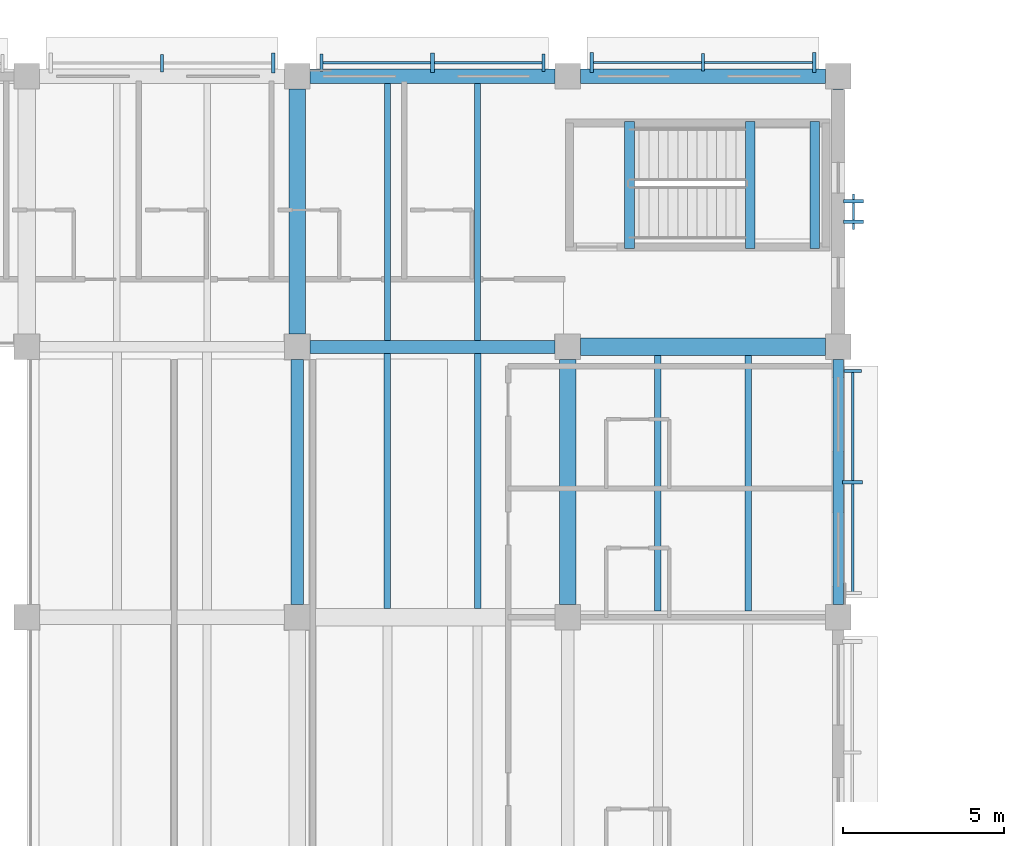
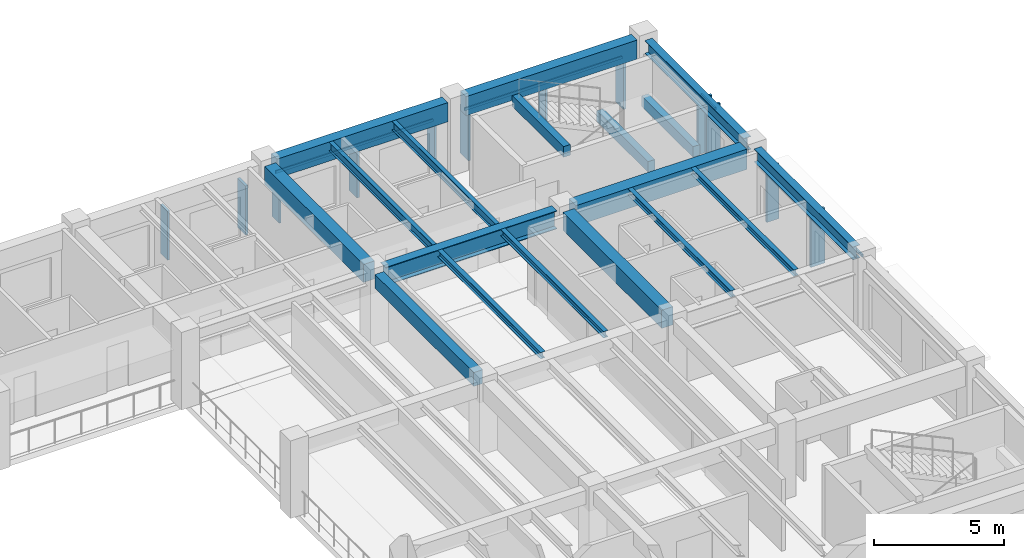
# One storey, part 50 of 118: 18 beams, 16 members, 5 elements without a shape of their own.
"""IFC4 building model written with IfcOpenShell, lengths in metres."""

from ifc_helpers import new_model, si_unit, direction, frame, origin, origin_2d, place, context, subcontext, project, spatial, rectangle, i_section, extrude, material, material_profile, profile_set, type_object, element, aggregate, save


model = new_model("IFC4")

# Units and contexts
model_context = context("Model", 3, precision=1e-05, world=origin(), true_north=direction((0.0, 1.0)))
body_context = subcontext(model_context, "Body", "Model", "MODEL_VIEW")
ifc_project = project(units=[si_unit("LENGTHUNIT", "METRE"), si_unit("AREAUNIT", "SQUARE_METRE"), si_unit("VOLUMEUNIT", "CUBIC_METRE"), si_unit("PLANEANGLEUNIT", "RADIAN"), si_unit("MASSUNIT", "GRAM", prefix="KILO")], contexts=[model_context])

# Site, building, storey
site_placement = place(None, origin())
site = spatial("IfcSite", under=ifc_project, at=site_placement, CompositionType="ELEMENT")
building_placement = place(site_placement, origin())
building = spatial("IfcBuilding", under=site, at=building_placement, Name="Cumbredor Promenade Congress Hotel", CompositionType="ELEMENT")
storey_placement = place(building_placement, frame((0.0, 0.0, 3.919921875)))
storey = spatial("IfcBuildingStorey", under=building, at=storey_placement, Name="L01", CompositionType="ELEMENT", Elevation=3.919921875)

# Beams
ifc_material_1 = material(Name="Concrete C40/50", Category="concrete")
ifc_material_profile_1 = material_profile(ifc_material_1, rectangle(XDim=0.39990234375, YDim=0.64990234375, at=origin_2d()), Name="RC BEAM 400x650")
ifc_profile_set_1 = profile_set([ifc_material_profile_1], Name="Concrete C40/50")
beam_type_1 = type_object("IfcBeamType", Name="BM-RC-400x650", PredefinedType="BEAM", material=ifc_profile_set_1)
beam_1_placement = place(storey_placement, frame((159.60009765625, 101.199951171875, 3.03515625), z_axis=(0.0, 1.0, 0.0), x_axis=(-1.0, 0.0, 0.0)))
element("IfcBeam", 1, at=beam_1_placement, inside=storey, type_object=beam_type_1, Name="L02 Y-Grid Beam 257", PredefinedType="BEAM", context=body_context, shape_type="SweptSolid", body=[
    extrude(rectangle(XDim=0.39990234375, YDim=0.64990234375, at=origin_2d()), origin(), (0.0, 0.0, 1.0), 7.60009765625),
])
ifc_material_profile_2 = material_profile(ifc_material_1, rectangle(XDim=0.5, YDim=0.85009765625, at=origin_2d()), Name="RC BEAM 500x850")
ifc_profile_set_2 = profile_set([ifc_material_profile_2], Name="Concrete C40/50")
beam_type_2 = type_object("IfcBeamType", Name="BM-RC-500x850", PredefinedType="BEAM", material=ifc_profile_set_2)
beam_2_placement = place(storey_placement, frame((159.60009765625, 109.60009765625, 2.93505859375), z_axis=(0.0, 1.0, 0.0), x_axis=(-1.0, 0.0, 0.0)))
element("IfcBeam", 2, at=beam_2_placement, inside=storey, type_object=beam_type_2, Name="L02 Y-Grid Beam 259", PredefinedType="BEAM", context=body_context, shape_type="SweptSolid", body=[
    extrude(rectangle(XDim=0.5, YDim=0.85009765625, at=origin_2d()), origin(), (0.0, 0.0, 1.0), 7.599853515625),
])
beam_3_placement = place(storey_placement, frame((168.0, 101.199951171875, 2.93505859375), z_axis=(0.0, 1.0, 0.0), x_axis=(-1.0, 0.0, 0.0)))
element("IfcBeam", 3, at=beam_3_placement, inside=storey, type_object=beam_type_2, Name="L02 Y-Grid Beam 271", PredefinedType="BEAM", context=body_context, shape_type="SweptSolid", body=[
    extrude(rectangle(XDim=0.5, YDim=0.85009765625, at=origin_2d()), origin(), (0.0, 0.0, 1.0), 7.60009765625),
])
ifc_material_profile_3 = material_profile(ifc_material_1, rectangle(XDim=0.550048828125, YDim=0.949951171875, at=origin_2d()), Name="RC BEAM 550x950")
ifc_profile_set_3 = profile_set([ifc_material_profile_3], Name="Concrete C40/50")
beam_type_3 = type_object("IfcBeamType", Name="BM-RC-550x950", PredefinedType="BEAM", material=ifc_profile_set_3)
beam_4_placement = place(storey_placement, frame((168.39990234375, 109.199951171875, 2.885009765625), z_axis=(1.0, 0.0, 0.0), x_axis=(0.0, 1.0, 0.0)))
element("IfcBeam", 4, at=beam_4_placement, inside=storey, type_object=beam_type_3, Name="L02 X-Grid Beam 272", PredefinedType="BEAM", context=body_context, shape_type="SweptSolid", body=[
    extrude(rectangle(XDim=0.550048828125, YDim=0.949951171875, at=origin_2d()), origin(), (0.0, 0.0, 1.0), 7.60009765625),
])
ifc_material_2 = material(Name="Steel ASTM A992 Grade 50", Category="steel")
ifc_material_profile_4 = material_profile(ifc_material_2, i_section(OverallWidth=0.39990234375, OverallDepth=0.85498046875, WebThickness=0.018310546875, FlangeThickness=0.029296875, at=origin_2d()), Name="W33X201")
ifc_profile_set_4 = profile_set([ifc_material_profile_4], Name="Steel ASTM A992 Grade 50")
beam_type_4 = type_object("IfcBeamType", Name="BM-W33X201", PredefinedType="BEAM", material=ifc_profile_set_4)
beam_5_placement = place(storey_placement, frame((160.0, 109.199951171875, 2.9326171875), z_axis=(1.0, 0.0, 0.0), x_axis=(0.0, 1.0, 0.0)))
element("IfcBeam", 5, at=beam_5_placement, inside=storey, type_object=beam_type_4, Name="L02 X-Grid Beam 258", PredefinedType="BEAM", context=body_context, shape_type="SweptSolid", body=[
    extrude(i_section(OverallWidth=0.39990234375, OverallDepth=0.85498046875, WebThickness=0.018310546875, FlangeThickness=0.029296875, at=origin_2d()), origin(), (0.0, 0.0, 1.0), 7.60009765625),
])

# Curtain wall, member
ifc_material_3 = material(Name="Thermally broken anodized aluminium and low-E glass", Category="aluminium")
curtain_wall_type = type_object("IfcCurtainWallType", Name="Solar Brise-Soleil Screen Assembly CW-07", PredefinedType="NOTDEFINED", material=ifc_material_3)
curtain_wall_1_placement = place(storey_placement, origin())
curtain_wall_1 = element("IfcCurtainWall", 6, at=curtain_wall_1_placement, inside=storey, type_object=curtain_wall_type, Name="L01 Hospitality Brise-Soleil Screen 013", PredefinedType="NOTDEFINED")
ifc_material_4 = material(Name="Thermally broken anodized aluminium", Category="aluminium")
ifc_material_profile_5 = material_profile(ifc_material_4, rectangle(XDim=0.06494140625, YDim=0.1298828125, at=origin_2d()), Name="ALU TRANSOM 65x130")
ifc_profile_set_5 = profile_set([ifc_material_profile_5], Name="Thermally broken anodized aluminium")
member_type_1 = type_object("IfcMemberType", Name="Curtain Wall Transom TR-01", PredefinedType="USERDEFINED", material=ifc_profile_set_5)
member_1_placement = place(storey_placement, frame((160.301025390625, 118.0224609375, 2.26513671875), z_axis=(1.0, 0.0, 0.0), x_axis=(0.0, 1.0, 0.0)))
member_1 = element("IfcMember", 7, at=member_1_placement, type_object=member_type_1, Name="L01 Brise-Soleil Screen Transom 013", ObjectType="TRANSOM", PredefinedType="USERDEFINED", context=body_context, shape_type="SweptSolid", body=[
    extrude(rectangle(XDim=0.06494140625, YDim=0.1298828125, at=origin_2d()), origin(), (0.0, 0.0, 1.0), 6.998046875),
])

curtain_wall_2_placement = place(storey_placement, origin())
curtain_wall_2 = element("IfcCurtainWall", 8, at=curtain_wall_2_placement, inside=storey, type_object=curtain_wall_type, Name="L01 Hospitality Brise-Soleil Screen 014", PredefinedType="NOTDEFINED")
member_2_placement = place(storey_placement, frame((168.700927734375, 118.034912109375, 2.26513671875), z_axis=(1.0, 0.0, 0.0), x_axis=(0.0, 1.0, 0.0)))
member_2 = element("IfcMember", 9, at=member_2_placement, type_object=member_type_1, Name="L01 Brise-Soleil Screen Transom 014", ObjectType="TRANSOM", PredefinedType="USERDEFINED", context=body_context, shape_type="SweptSolid", body=[
    extrude(rectangle(XDim=0.06494140625, YDim=0.1298828125, at=origin_2d()), origin(), (0.0, 0.0, 1.0), 6.998046875),
])

curtain_wall_3_placement = place(storey_placement, origin())
curtain_wall_3 = element("IfcCurtainWall", 10, at=curtain_wall_3_placement, inside=storey, type_object=curtain_wall_type, Name="L01 Hospitality Brise-Soleil Screen 016", PredefinedType="NOTDEFINED")
member_3_placement = place(storey_placement, frame((176.85009765625, 101.5009765625, 2.55419921875), z_axis=(0.0, 1.0, 0.0), x_axis=(-1.0, 0.0, 0.0)))
member_3 = element("IfcMember", 11, at=member_3_placement, type_object=member_type_1, Name="L01 Brise-Soleil Screen Transom 016", ObjectType="TRANSOM", PredefinedType="USERDEFINED", context=body_context, shape_type="SweptSolid", body=[
    extrude(rectangle(XDim=0.06494140625, YDim=0.1298828125, at=origin_2d()), origin(), (0.0, 0.0, 1.0), 6.998046875),
])

curtain_wall_4_placement = place(storey_placement, origin())
curtain_wall_4 = element("IfcCurtainWall", 12, at=curtain_wall_4_placement, inside=storey, type_object=curtain_wall_type, Name="L01 Pier Brise-Soleil Screen 0280", PredefinedType="NOTDEFINED")
member_4_placement = place(storey_placement, frame((176.87255859375, 112.85009765625, 2.573974609375), z_axis=(0.0, 1.0, 0.0), x_axis=(-1.0, 0.0, 0.0)))
member_4 = element("IfcMember", 13, at=member_4_placement, type_object=member_type_1, Name="L01 Pier Brise-Soleil Header 0282", ObjectType="TRANSOM", PredefinedType="USERDEFINED", context=body_context, shape_type="SweptSolid", body=[
    extrude(rectangle(XDim=0.06494140625, YDim=0.1298828125, at=origin_2d()), origin(), (0.0, 0.0, 1.0), 1.099853515625),
])

# Beams
ifc_material_profile_6 = material_profile(ifc_material_2, i_section(OverallWidth=0.202880859375, OverallDepth=0.302978515625, WebThickness=0.007568359375, FlangeThickness=0.01318359375, at=origin_2d()), Name="W12X40")
ifc_profile_set_6 = profile_set([ifc_material_profile_6], Name="Steel ASTM A992 Grade 50")
beam_type_5 = type_object("IfcBeamType", Name="JST-W12X40", PredefinedType="JOIST", material=ifc_profile_set_6)
for number, where, z_axis, x_axis, name in (
    (14, (162.39990234375, 101.074951171875, 3.20849609375), (0.0, 1.0, 0.0), (-1.0, 0.0, 0.0), "L02 Secondary Floor Joist 0147"),
    (15, (165.199951171875, 101.074951171875, 3.20849609375), (0.0, 1.0, 0.0), (-1.0, 0.0, 0.0), "L02 Secondary Floor Joist 0148"),
    (16, (170.800048828125, 101.0, 3.20849609375), (0.0, 1.0, 0.0), (-1.0, 0.0, 0.0), "L02 Secondary Floor Joist 0157"),
    (17, (173.60009765625, 101.0, 3.20849609375), (0.0, 1.0, 0.0), (-1.0, 0.0, 0.0), "L02 Secondary Floor Joist 0158"),
):
    element("IfcBeam", number, at=place(storey_placement, frame(where, z_axis=z_axis, x_axis=x_axis)), inside=storey, type_object=beam_type_5, Name=name, PredefinedType="JOIST", context=body_context, shape_type="SweptSolid", body=[
        extrude(i_section(OverallWidth=0.202880859375, OverallDepth=0.302978515625, WebThickness=0.007568359375, FlangeThickness=0.01318359375, at=origin_2d()), origin(), (0.0, 0.0, 1.0), 7.925048828125),
    ])
ifc_material_profile_7 = material_profile(ifc_material_2, i_section(OverallWidth=0.180908203125, OverallDepth=0.4169921875, WebThickness=0.010986328125, FlangeThickness=0.018310546875, at=origin_2d()), Name="W16X57")
ifc_profile_set_7 = profile_set([ifc_material_profile_7], Name="Steel ASTM A992 Grade 50")
beam_type_6 = type_object("IfcBeamType", Name="JST-W16X57", PredefinedType="JOIST", material=ifc_profile_set_7)
for number, where, z_axis, x_axis, name in (
    (18, (162.39990234375, 109.39990234375, 3.151611328125), (0.0, 1.0, 0.0), (-1.0, 0.0, 0.0), "L02 Secondary Floor Joist 0149"),
    (19, (165.199951171875, 109.39990234375, 3.151611328125), (0.0, 1.0, 0.0), (-1.0, 0.0, 0.0), "L02 Secondary Floor Joist 0150"),
):
    element("IfcBeam", number, at=place(storey_placement, frame(where, z_axis=z_axis, x_axis=x_axis)), inside=storey, type_object=beam_type_6, Name=name, PredefinedType="JOIST", context=body_context, shape_type="SweptSolid", body=[
        extrude(i_section(OverallWidth=0.180908203125, OverallDepth=0.4169921875, WebThickness=0.010986328125, FlangeThickness=0.018310546875, at=origin_2d()), origin(), (0.0, 0.0, 1.0), 7.97509765625),
    ])
ifc_material_profile_8 = material_profile(ifc_material_1, rectangle(XDim=0.300048828125, YDim=0.5, at=origin_2d()), Name="RC LINTEL 300x500")
ifc_profile_set_8 = profile_set([ifc_material_profile_8], Name="Concrete C40/50")
beam_type_7 = type_object("IfcBeamType", Name="LN-RC-300x500", PredefinedType="LINTEL", material=ifc_profile_set_8)
for number, where, z_axis, x_axis, name in (
    (20, (175.669921875, 112.25, 1.3701171875), (0.0, 1.0, 0.0), (-1.0, 0.0, 0.0), "L01 Stair ST-16 Landing Ledger Beam E"),
    (21, (173.669921875, 112.25, 1.3701171875), (0.0, 1.0, 0.0), (-1.0, 0.0, 0.0), "L01 Stair ST-16 Landing Ledger Beam W"),
    (22, (169.919921875, 112.25, 3.39013671875), (0.0, 1.0, 0.0), (-1.0, 0.0, 0.0), "L02 Stair ST-16 Well Header Trimmer Beam"),
):
    element("IfcBeam", number, at=place(storey_placement, frame(where, z_axis=z_axis, x_axis=x_axis)), inside=storey, type_object=beam_type_7, Name=name, PredefinedType="LINTEL", context=body_context, shape_type="SweptSolid", body=[
        extrude(rectangle(XDim=0.300048828125, YDim=0.5, at=origin_2d()), origin(), (0.0, 0.0, 1.0), 3.949951171875),
    ])
ifc_material_profile_9 = material_profile(ifc_material_1, rectangle(XDim=0.449951171875, YDim=0.89990234375, at=origin_2d()), Name="RC SPANDREL 450x900")
ifc_profile_set_9 = profile_set([ifc_material_profile_9], Name="Concrete C40/50")
beam_type_8 = type_object("IfcBeamType", Name="SP-RC-450x900", PredefinedType="SPANDREL", material=ifc_profile_set_9)
for number, where, z_axis, x_axis, name in (
    (23, (160.0, 117.60009765625, 2.91015625), (1.0, 0.0, 0.0), (0.0, 1.0, 0.0), "L02 X-Grid Beam 260"),
    (24, (168.39990234375, 117.60009765625, 2.91015625), (1.0, 0.0, 0.0), (0.0, 1.0, 0.0), "L02 X-Grid Beam 273"),
):
    element("IfcBeam", number, at=place(storey_placement, frame(where, z_axis=z_axis, x_axis=x_axis)), inside=storey, type_object=beam_type_8, Name=name, PredefinedType="SPANDREL", context=body_context, shape_type="SweptSolid", body=[
        extrude(rectangle(XDim=0.449951171875, YDim=0.89990234375, at=origin_2d()), origin(), (0.0, 0.0, 1.0), 7.60009765625),
    ])
ifc_material_profile_10 = material_profile(ifc_material_2, i_section(OverallWidth=0.323974609375, OverallDepth=0.611083984375, WebThickness=0.0126953125, FlangeThickness=0.01904296875, at=origin_2d()), Name="W24X104")
ifc_profile_set_10 = profile_set([ifc_material_profile_10], Name="Steel ASTM A992 Grade 50")
beam_type_9 = type_object("IfcBeamType", Name="SP-W24X104", PredefinedType="SPANDREL", material=ifc_profile_set_10)
beam_6_placement = place(storey_placement, frame((176.39990234375, 101.199951171875, 3.0546875), z_axis=(0.0, 1.0, 0.0), x_axis=(-1.0, 0.0, 0.0)))
element("IfcBeam", 25, at=beam_6_placement, inside=storey, type_object=beam_type_9, Name="L02 Y-Grid Beam 280", PredefinedType="SPANDREL", context=body_context, shape_type="SweptSolid", body=[
    extrude(i_section(OverallWidth=0.323974609375, OverallDepth=0.611083984375, WebThickness=0.0126953125, FlangeThickness=0.01904296875, at=origin_2d()), origin(), (0.0, 0.0, 1.0), 7.60009765625),
])
beam_7_placement = place(storey_placement, frame((176.39990234375, 109.60009765625, 3.0546875), z_axis=(0.0, 1.0, 0.0), x_axis=(-1.0, 0.0, 0.0)))
element("IfcBeam", 26, at=beam_7_placement, inside=storey, type_object=beam_type_9, Name="L02 Y-Grid Beam 281", PredefinedType="SPANDREL", context=body_context, shape_type="SweptSolid", body=[
    extrude(i_section(OverallWidth=0.323974609375, OverallDepth=0.611083984375, WebThickness=0.0126953125, FlangeThickness=0.01904296875, at=origin_2d()), origin(), (0.0, 0.0, 1.0), 7.599853515625),
])

# Curtain wall, member
curtain_wall_5_placement = place(storey_placement, origin())
curtain_wall_5 = element("IfcCurtainWall", 27, at=curtain_wall_5_placement, inside=storey, type_object=curtain_wall_type, Name="L01 Hospitality Brise-Soleil Screen 012", PredefinedType="NOTDEFINED")
ifc_material_profile_11 = material_profile(ifc_material_4, rectangle(XDim=0.110107421875, YDim=0.6201171875, at=origin_2d()), Name="ARCH FIN 110x620")
ifc_profile_set_11 = profile_set([ifc_material_profile_11], Name="Thermally broken anodized aluminium")
member_type_2 = type_object("IfcMemberType", Name="Vertical Bronze Brise-Soleil Fin BSF-02 110x620", PredefinedType="USERDEFINED", material=ifc_profile_set_11)
member_5_placement = place(storey_placement, frame((158.84912109375, 118.010009765625, 0.02001953125), z_axis=(0.0, 0.0, 1.0), x_axis=(1.0, 0.0, 0.0)))
member_5 = element("IfcMember", 28, at=member_5_placement, type_object=member_type_2, Name="L01 Vertical Brise-Soleil Fin 0258", ObjectType="SOLAR FIN", PredefinedType="USERDEFINED", context=body_context, shape_type="SweptSolid", body=[
    extrude(rectangle(XDim=0.110107421875, YDim=0.6201171875, at=origin_2d()), origin(), (0.0, 0.0, 1.0), 2.30517578125),
])

# Member
member_6_placement = place(storey_placement, frame((163.800048828125, 118.0224609375, 0.02001953125), z_axis=(0.0, 0.0, 1.0), x_axis=(1.0, 0.0, 0.0)))
member_6 = element("IfcMember", 29, at=member_6_placement, type_object=member_type_2, Name="L01 Vertical Brise-Soleil Fin 0260", ObjectType="SOLAR FIN", PredefinedType="USERDEFINED", context=body_context, shape_type="SweptSolid", body=[
    extrude(rectangle(XDim=0.110107421875, YDim=0.6201171875, at=origin_2d()), origin(), (0.0, 0.0, 1.0), 2.30517578125),
])

member_7_placement = place(storey_placement, frame((168.7509765625, 118.034912109375, 0.02001953125), z_axis=(0.0, 0.0, 1.0), x_axis=(1.0, 0.0, 0.0)))
member_7 = element("IfcMember", 30, at=member_7_placement, type_object=member_type_2, Name="L01 Vertical Brise-Soleil Fin 0262", ObjectType="SOLAR FIN", PredefinedType="USERDEFINED", context=body_context, shape_type="SweptSolid", body=[
    extrude(rectangle(XDim=0.110107421875, YDim=0.6201171875, at=origin_2d()), origin(), (0.0, 0.0, 1.0), 2.30517578125),
])

member_8_placement = place(storey_placement, frame((175.64892578125, 118.034912109375, 0.02001953125), z_axis=(0.0, 0.0, 1.0), x_axis=(1.0, 0.0, 0.0)))
member_8 = element("IfcMember", 31, at=member_8_placement, type_object=member_type_2, Name="L01 Vertical Brise-Soleil Fin 0264", ObjectType="SOLAR FIN", PredefinedType="USERDEFINED", context=body_context, shape_type="SweptSolid", body=[
    extrude(rectangle(XDim=0.110107421875, YDim=0.6201171875, at=origin_2d()), origin(), (0.0, 0.0, 1.0), 2.30517578125),
])

member_9_placement = place(storey_placement, frame((176.85009765625, 105.0, 0.02001953125), z_axis=(0.0, 0.0, 1.0), x_axis=(0.0, 1.0, 0.0)))
member_9 = element("IfcMember", 32, at=member_9_placement, type_object=member_type_2, Name="L01 Vertical Brise-Soleil Fin 0278", ObjectType="SOLAR FIN", PredefinedType="USERDEFINED", context=body_context, shape_type="SweptSolid", body=[
    extrude(rectangle(XDim=0.110107421875, YDim=0.6201171875, at=origin_2d()), origin(), (0.0, 0.0, 1.0), 2.593994140625),
])

member_10_placement = place(storey_placement, frame((176.87255859375, 113.080078125, 0.02001953125), z_axis=(0.0, 0.0, 1.0), x_axis=(0.0, 1.0, 0.0)))
member_10 = element("IfcMember", 33, at=member_10_placement, type_object=member_type_2, Name="L01 Pier Brise-Soleil Fin 0281", ObjectType="SOLAR FIN", PredefinedType="USERDEFINED", context=body_context, shape_type="SweptSolid", body=[
    extrude(rectangle(XDim=0.110107421875, YDim=0.6201171875, at=origin_2d()), origin(), (0.0, 0.0, 1.0), 2.593994140625),
])

member_11_placement = place(storey_placement, frame((176.87255859375, 113.719970703125, 0.02001953125), z_axis=(0.0, 0.0, 1.0), x_axis=(0.0, 1.0, 0.0)))
member_11 = element("IfcMember", 34, at=member_11_placement, type_object=member_type_2, Name="L01 Pier Brise-Soleil Fin 0282", ObjectType="SOLAR FIN", PredefinedType="USERDEFINED", context=body_context, shape_type="SweptSolid", body=[
    extrude(rectangle(XDim=0.110107421875, YDim=0.6201171875, at=origin_2d()), origin(), (0.0, 0.0, 1.0), 2.593994140625),
])

aggregate(curtain_wall_4, [member_10, member_11, member_4])

ifc_material_5 = material(Name="Kiln-dried tropical hardwood", Category="wood")
ifc_material_profile_12 = material_profile(ifc_material_5, rectangle(XDim=0.090087890625, YDim=0.550048828125, at=origin_2d()), Name="ARCH FIN 90x550")
ifc_profile_set_12 = profile_set([ifc_material_profile_12], Name="Kiln-dried tropical hardwood")
member_type_3 = type_object("IfcMemberType", Name="Vertical Hardwood Brise-Soleil Fin BSF-01 90x550", PredefinedType="USERDEFINED", material=ifc_profile_set_12)
member_12_placement = place(storey_placement, frame((155.39990234375, 118.010009765625, 0.02001953125), z_axis=(0.0, 0.0, 1.0), x_axis=(1.0, 0.0, 0.0)))
member_12 = element("IfcMember", 35, at=member_12_placement, type_object=member_type_3, Name="L01 Vertical Brise-Soleil Fin 0257", ObjectType="SOLAR FIN", PredefinedType="USERDEFINED", context=body_context, shape_type="SweptSolid", body=[
    extrude(rectangle(XDim=0.090087890625, YDim=0.550048828125, at=origin_2d()), origin(), (0.0, 0.0, 1.0), 2.30517578125),
])

aggregate(curtain_wall_5, [member_12, member_5])

member_13_placement = place(storey_placement, frame((160.35107421875, 118.0224609375, 0.02001953125), z_axis=(0.0, 0.0, 1.0), x_axis=(1.0, 0.0, 0.0)))
member_13 = element("IfcMember", 36, at=member_13_placement, type_object=member_type_3, Name="L01 Vertical Brise-Soleil Fin 0259", ObjectType="SOLAR FIN", PredefinedType="USERDEFINED", context=body_context, shape_type="SweptSolid", body=[
    extrude(rectangle(XDim=0.090087890625, YDim=0.550048828125, at=origin_2d()), origin(), (0.0, 0.0, 1.0), 2.30517578125),
])

member_14_placement = place(storey_placement, frame((167.2490234375, 118.0224609375, 0.02001953125), z_axis=(0.0, 0.0, 1.0), x_axis=(1.0, 0.0, 0.0)))
member_14 = element("IfcMember", 37, at=member_14_placement, type_object=member_type_3, Name="L01 Vertical Brise-Soleil Fin 0261", ObjectType="SOLAR FIN", PredefinedType="USERDEFINED", context=body_context, shape_type="SweptSolid", body=[
    extrude(rectangle(XDim=0.090087890625, YDim=0.550048828125, at=origin_2d()), origin(), (0.0, 0.0, 1.0), 2.30517578125),
])

aggregate(curtain_wall_1, [member_1, member_13, member_6, member_14])

member_15_placement = place(storey_placement, frame((172.199951171875, 118.034912109375, 0.02001953125), z_axis=(0.0, 0.0, 1.0), x_axis=(1.0, 0.0, 0.0)))
member_15 = element("IfcMember", 38, at=member_15_placement, type_object=member_type_3, Name="L01 Vertical Brise-Soleil Fin 0263", ObjectType="SOLAR FIN", PredefinedType="USERDEFINED", context=body_context, shape_type="SweptSolid", body=[
    extrude(rectangle(XDim=0.090087890625, YDim=0.550048828125, at=origin_2d()), origin(), (0.0, 0.0, 1.0), 2.30517578125),
])

aggregate(curtain_wall_2, [member_2, member_7, member_15, member_8])

member_16_placement = place(storey_placement, frame((176.85009765625, 108.448974609375, 0.02001953125), z_axis=(0.0, 0.0, 1.0), x_axis=(0.0, 1.0, 0.0)))
member_16 = element("IfcMember", 39, at=member_16_placement, type_object=member_type_3, Name="L01 Vertical Brise-Soleil Fin 0279", ObjectType="SOLAR FIN", PredefinedType="USERDEFINED", context=body_context, shape_type="SweptSolid", body=[
    extrude(rectangle(XDim=0.090087890625, YDim=0.550048828125, at=origin_2d()), origin(), (0.0, 0.0, 1.0), 2.593994140625),
])

aggregate(curtain_wall_3, [member_3, member_9, member_16])

save(model, "model.ifc")
